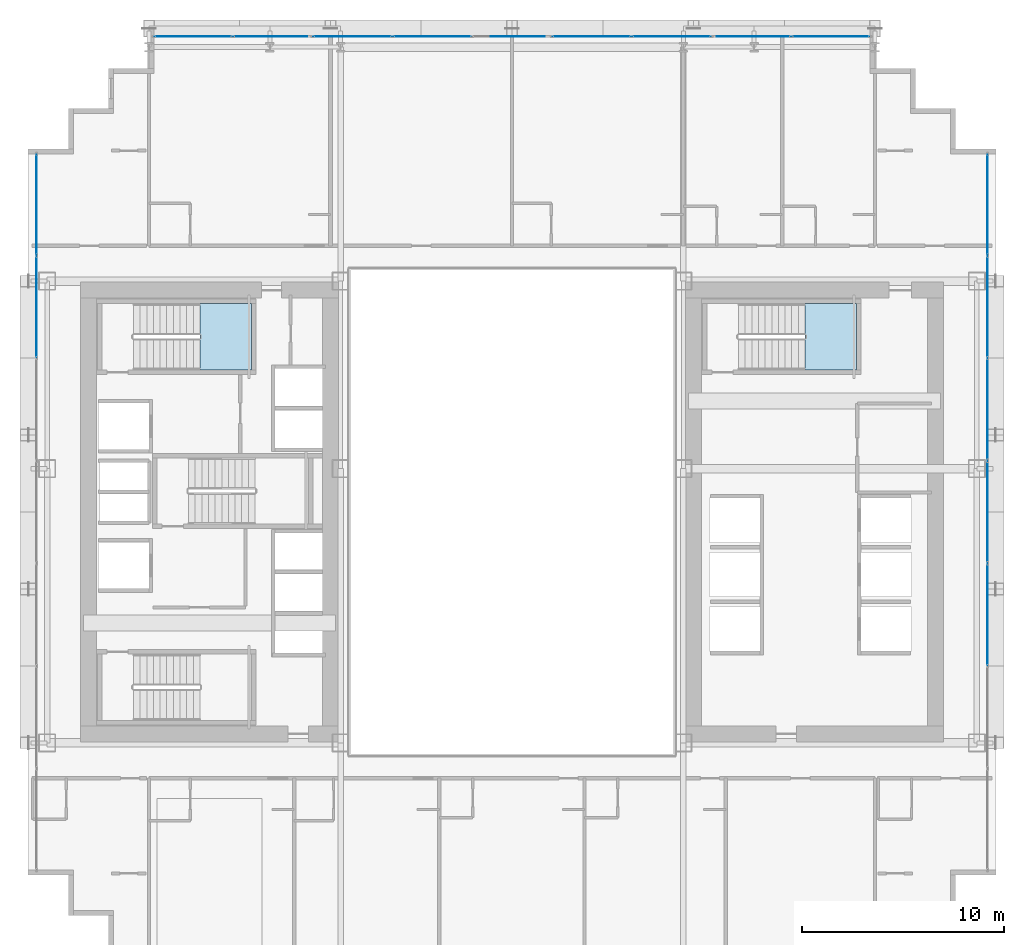
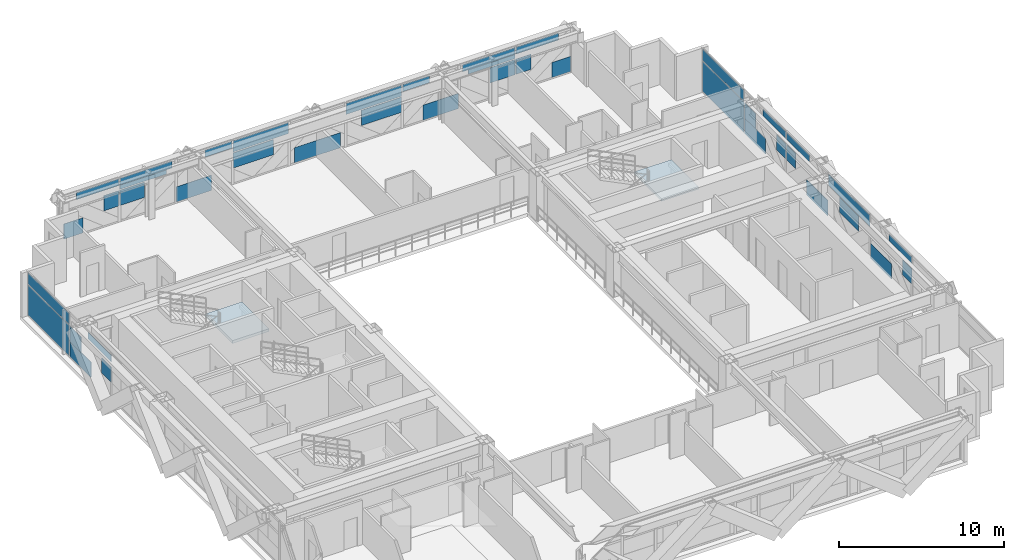
# One storey, part 24 of 35: 41 plates, 2 slabs, 5 elements without a shape of their own.
"""IFC4 building model written with IfcOpenShell, lengths in metres."""

from ifc_helpers import new_model, si_unit, direction, frame, origin, origin_2d, place, context, subcontext, project, spatial, polyline, rectangle, outline, extrude, source, transform, mapped, material, layer, layer_set, type_object, element, aggregate, save


model = new_model("IFC4")

# Units and contexts
model_context = context("Model", 3, precision=1e-05, world=origin(), true_north=direction((0.0, 1.0)))
body_context = subcontext(model_context, "Body", "Model", "MODEL_VIEW")
ifc_project = project(units=[si_unit("LENGTHUNIT", "METRE"), si_unit("AREAUNIT", "SQUARE_METRE"), si_unit("VOLUMEUNIT", "CUBIC_METRE"), si_unit("PLANEANGLEUNIT", "RADIAN"), si_unit("MASSUNIT", "GRAM", prefix="KILO")], contexts=[model_context])

# Site, building, storey
site_placement = place(None, origin())
site = spatial("IfcSite", under=ifc_project, at=site_placement, CompositionType="ELEMENT")
building_placement = place(site_placement, origin())
building = spatial("IfcBuilding", under=site, at=building_placement, Name="Ocotamira Hotel", CompositionType="ELEMENT")
storey_placement = place(building_placement, frame((0.0, 0.0, 81.60009765625)))
storey = spatial("IfcBuildingStorey", under=building, at=storey_placement, Name="L20", CompositionType="ELEMENT", Elevation=81.60009765625)

# Stair, slab
ifc_material_1 = material(Name="Concrete C40/50", Category="concrete")
stair_type = type_object("IfcStairType", Name="ST-CORE-1560", PredefinedType="HALF_TURN_STAIR", material=ifc_material_1)
stair_1_placement = place(storey_placement, origin())
stair_1 = element("IfcStair", 1, at=stair_1_placement, inside=storey, type_object=stair_type, Name="L20 Exit Stair ST-2", PredefinedType="HALF_TURN_STAIR")
ifc_layer_1 = layer(ifc_material_1, 0.199951171875)
ifc_layer_set_1 = layer_set([ifc_layer_1], Name="Concrete C40/50")
slab_type = type_object("IfcSlabType", Name="SLB-LAND-200", PredefinedType="LANDING", material=ifc_layer_set_1)
slab_1_placement = place(storey_placement, frame((0.0, 0.0, 1.599853515625)))
slab_1 = element("IfcSlab", 2, at=slab_1_placement, type_object=slab_type, Name="ST-2 landing 1", PredefinedType="LANDING", context=body_context, shape_type="SweptSolid", body=[
    extrude(outline(polyline([(16.530029296875, 33.050048828125), (19.090087890625, 33.050048828125), (19.090087890625, 36.330078125), (16.530029296875, 36.330078125), (16.530029296875, 33.050048828125)])), origin(), (0.0, 0.0, 1.0), 0.199951171875),
])
aggregate(stair_1, [slab_1])

stair_2_placement = place(storey_placement, origin())
stair_2 = element("IfcStair", 3, at=stair_2_placement, inside=storey, type_object=stair_type, Name="L20 Exit Stair ST-4", PredefinedType="HALF_TURN_STAIR")
slab_2_placement = place(storey_placement, frame((0.0, 0.0, 1.599853515625)))
slab_2 = element("IfcSlab", 4, at=slab_2_placement, type_object=slab_type, Name="ST-4 landing 1", PredefinedType="LANDING", context=body_context, shape_type="SweptSolid", body=[
    extrude(outline(polyline([(46.530029296875, 33.050048828125), (49.090087890625, 33.050048828125), (49.090087890625, 36.330078125), (46.530029296875, 36.330078125), (46.530029296875, 33.050048828125)])), origin(), (0.0, 0.0, 1.0), 0.199951171875),
])
aggregate(stair_2, [slab_2])

# Curtain wall, plate
ifc_material_2 = material(Name="Anodised pale-metal aluminium and solar glass", Category="aluminium")
ifc_layer_2 = layer(ifc_material_2, 0.179931640625)
ifc_layer_set_2 = layer_set([ifc_layer_2], Name="Anodised pale-metal aluminium and solar glass")
curtain_wall_type = type_object("IfcCurtainWallType", Name="CW-SYS2-Z1", PredefinedType="NOTDEFINED", material=ifc_layer_set_2)
curtain_wall_1_placement = place(storey_placement, origin())
curtain_wall_1 = element("IfcCurtainWall", 5, at=curtain_wall_1_placement, inside=storey, type_object=curtain_wall_type, Name="L20 Curtain Wall CW-2 CW-L20-W", PredefinedType="NOTDEFINED")
ifc_material_3 = material(Name="Double-silver low-E insulated solar glass", Category="glass")
ifc_layer_3 = layer(ifc_material_3, 0.031982421875)
ifc_layer_set_3 = layer_set([ifc_layer_3], Name="Double-silver low-E insulated solar glass")
plate_type = type_object("IfcPlateType", Name="CWP-VISION-32", PredefinedType="CURTAIN_PANEL", material=ifc_layer_set_3)
shared_shape_1 = source(origin(), body_context, "Body", "SweptSolid", [
    extrude(rectangle(XDim=4.9658203125, YDim=0.031982421875, at=origin_2d()), origin(), (0.0, 0.0, 1.0), 2.237548828125),
])
plate_1_placement = place(storey_placement, frame((8.419921875, 41.237060546875, 0.07470703125), z_axis=(0.0, 0.0, 1.0), x_axis=(0.0, 1.0, 0.0)))
plate_1 = element("IfcPlate", 6, at=plate_1_placement, type_object=plate_type, Name="CW-2 panel 7.1", PredefinedType="CURTAIN_PANEL", context=body_context, shape_type="MappedRepresentation", body=[
    mapped(shared_shape_1, transform((0.0, 0.0, 0.0), scale=1.0)),
])

curtain_wall_2_placement = place(storey_placement, origin())
curtain_wall_2 = element("IfcCurtainWall", 7, at=curtain_wall_2_placement, inside=storey, type_object=curtain_wall_type, Name="L20 Curtain Wall CW-2 CW-L20-E", PredefinedType="NOTDEFINED")
plate_2_placement = place(storey_placement, frame((55.580078125, 41.237060546875, 0.07470703125), z_axis=(0.0, 0.0, 1.0), x_axis=(0.0, 1.0, 0.0)))
plate_2 = element("IfcPlate", 8, at=plate_2_placement, type_object=plate_type, Name="CW-2 panel 7.1", PredefinedType="CURTAIN_PANEL", context=body_context, shape_type="MappedRepresentation", body=[
    mapped(shared_shape_1, transform((0.0, 0.0, 0.0), scale=1.0)),
])

# Curtain wall, plates
curtain_wall_3_placement = place(storey_placement, origin())
curtain_wall_3 = element("IfcCurtainWall", 9, at=curtain_wall_3_placement, inside=storey, type_object=curtain_wall_type, Name="L20 Curtain Wall CW-2 CW-L20-N", PredefinedType="NOTDEFINED")
shared_shape_2 = source(origin(), body_context, "Body", "SweptSolid", [
    extrude(rectangle(XDim=1.331787109375, YDim=0.031982421875, at=origin_2d()), origin(), (0.0, 0.0, 1.0), 1.118896484375),
])
plate_3_placement = place(storey_placement, frame((14.94580078125, 49.580078125, 0.07470703125), z_axis=(0.0, 0.0, 1.0), x_axis=(1.0, 0.0, 0.0)))
plate_3 = element("IfcPlate", 10, at=plate_3_placement, type_object=plate_type, Name="CW-2 panel 1.1.1", PredefinedType="CURTAIN_PANEL", context=body_context, shape_type="MappedRepresentation", body=[
    mapped(shared_shape_2, transform((0.0, 0.0, 0.0), scale=1.0)),
])
plate_4_placement = place(storey_placement, frame((49.05419921875, 49.580078125, 0.07470703125), z_axis=(0.0, 0.0, 1.0), x_axis=(1.0, 0.0, 0.0)))
plate_4 = element("IfcPlate", 11, at=plate_4_placement, type_object=plate_type, Name="CW-2 panel 9.1.2", PredefinedType="CURTAIN_PANEL", context=body_context, shape_type="MappedRepresentation", body=[
    mapped(shared_shape_2, transform((0.0, 0.0, 0.0), scale=1.0)),
])
shared_shape_3 = source(origin(), body_context, "Body", "SweptSolid", [
    extrude(rectangle(XDim=1.045654296875, YDim=0.031982421875, at=origin_2d()), origin(), (0.0, 0.0, 1.0), 1.11865234375),
])
plate_5_placement = place(storey_placement, frame((17.5927734375, 49.580078125, 1.193603515625), z_axis=(0.0, 0.0, 1.0), x_axis=(1.0, 0.0, 0.0)))
plate_5 = element("IfcPlate", 12, at=plate_5_placement, type_object=plate_type, Name="CW-2 panel 1.1.2", PredefinedType="CURTAIN_PANEL", context=body_context, shape_type="MappedRepresentation", body=[
    mapped(shared_shape_3, transform((0.0, 0.0, 0.0), scale=1.0)),
])
plate_6_placement = place(storey_placement, frame((46.4072265625, 49.580078125, 1.193603515625), z_axis=(0.0, 0.0, 1.0), x_axis=(1.0, 0.0, 0.0)))
plate_6 = element("IfcPlate", 13, at=plate_6_placement, type_object=plate_type, Name="CW-2 panel 9.1.1", PredefinedType="CURTAIN_PANEL", context=body_context, shape_type="MappedRepresentation", body=[
    mapped(shared_shape_3, transform((0.0, 0.0, 0.0), scale=1.0)),
])
shared_shape_4 = source(origin(), body_context, "Body", "SweptSolid", [
    extrude(rectangle(XDim=2.954833984375, YDim=0.031982421875, at=origin_2d()), origin(), (0.0, 0.0, 1.0), 0.513671875),
])
plate_7_placement = place(storey_placement, frame((16.63818359375, 49.580078125, 2.691162109375), z_axis=(0.0, 0.0, 1.0), x_axis=(1.0, 0.0, 0.0)))
plate_7 = element("IfcPlate", 14, at=plate_7_placement, type_object=plate_type, Name="CW-2 panel 1.2.1", PredefinedType="CURTAIN_PANEL", context=body_context, shape_type="MappedRepresentation", body=[
    mapped(shared_shape_4, transform((0.0, 0.0, 0.0), scale=1.0)),
])
plate_8_placement = place(storey_placement, frame((47.36181640625, 49.580078125, 2.691162109375), z_axis=(0.0, 0.0, 1.0), x_axis=(1.0, 0.0, 0.0)))
plate_8 = element("IfcPlate", 15, at=plate_8_placement, type_object=plate_type, Name="CW-2 panel 9.2.1", PredefinedType="CURTAIN_PANEL", context=body_context, shape_type="MappedRepresentation", body=[
    mapped(shared_shape_4, transform((0.0, 0.0, 0.0), scale=1.0)),
])
shared_shape_5 = source(origin(), body_context, "Body", "SweptSolid", [
    extrude(rectangle(XDim=1.734619140625, YDim=0.031982421875, at=origin_2d()), origin(), (0.0, 0.0, 1.0), 1.11865234375),
])
plate_9_placement = place(storey_placement, frame((19.062744140625, 49.580078125, 1.193603515625), z_axis=(0.0, 0.0, 1.0), x_axis=(1.0, 0.0, 0.0)))
plate_9 = element("IfcPlate", 16, at=plate_9_placement, type_object=plate_type, Name="CW-2 panel 2.1.1", PredefinedType="CURTAIN_PANEL", context=body_context, shape_type="MappedRepresentation", body=[
    mapped(shared_shape_5, transform((0.0, 0.0, 0.0), scale=1.0)),
])
plate_10_placement = place(storey_placement, frame((44.937255859375, 49.580078125, 1.193603515625), z_axis=(0.0, 0.0, 1.0), x_axis=(1.0, 0.0, 0.0)))
plate_10 = element("IfcPlate", 17, at=plate_10_placement, type_object=plate_type, Name="CW-2 panel 8.1.1", PredefinedType="CURTAIN_PANEL", context=body_context, shape_type="MappedRepresentation", body=[
    mapped(shared_shape_5, transform((0.0, 0.0, 0.0), scale=1.0)),
])
shared_shape_6 = source(origin(), body_context, "Body", "SweptSolid", [
    extrude(rectangle(XDim=3.25634765625, YDim=0.031982421875, at=origin_2d()), origin(), (0.0, 0.0, 1.0), 0.303955078125),
])
plate_11_placement = place(storey_placement, frame((19.82373046875, 49.580078125, 2.38720703125), z_axis=(0.0, 0.0, 1.0), x_axis=(1.0, 0.0, 0.0)))
plate_11 = element("IfcPlate", 18, at=plate_11_placement, type_object=plate_type, Name="CW-2 panel 2.2.1", PredefinedType="CURTAIN_PANEL", context=body_context, shape_type="MappedRepresentation", body=[
    mapped(shared_shape_6, transform((0.0, 0.0, 0.0), scale=1.0)),
])
plate_12_placement = place(storey_placement, frame((44.17626953125, 49.580078125, 2.38720703125), z_axis=(0.0, 0.0, 1.0), x_axis=(1.0, 0.0, 0.0)))
plate_12 = element("IfcPlate", 19, at=plate_12_placement, type_object=plate_type, Name="CW-2 panel 8.2.2", PredefinedType="CURTAIN_PANEL", context=body_context, shape_type="MappedRepresentation", body=[
    mapped(shared_shape_6, transform((0.0, 0.0, 0.0), scale=1.0)),
])
shared_shape_7 = source(origin(), body_context, "Body", "SweptSolid", [
    extrude(rectangle(XDim=3.643798828125, YDim=0.031982421875, at=origin_2d()), origin(), (0.0, 0.0, 1.0), 0.513671875),
])
plate_13_placement = place(storey_placement, frame((20.017333984375, 49.580078125, 2.691162109375), z_axis=(0.0, 0.0, 1.0), x_axis=(1.0, 0.0, 0.0)))
plate_13 = element("IfcPlate", 20, at=plate_13_placement, type_object=plate_type, Name="CW-2 panel 2.2.2", PredefinedType="CURTAIN_PANEL", context=body_context, shape_type="MappedRepresentation", body=[
    mapped(shared_shape_7, transform((0.0, 0.0, 0.0), scale=1.0)),
])
plate_14_placement = place(storey_placement, frame((43.982666015625, 49.580078125, 2.691162109375), z_axis=(0.0, 0.0, 1.0), x_axis=(1.0, 0.0, 0.0)))
plate_14 = element("IfcPlate", 21, at=plate_14_placement, type_object=plate_type, Name="CW-2 panel 8.2.1", PredefinedType="CURTAIN_PANEL", context=body_context, shape_type="MappedRepresentation", body=[
    mapped(shared_shape_7, transform((0.0, 0.0, 0.0), scale=1.0)),
])
shared_shape_8 = source(origin(), body_context, "Body", "SweptSolid", [
    extrude(rectangle(XDim=2.460693359375, YDim=0.031982421875, at=origin_2d()), origin(), (0.0, 0.0, 1.0), 1.118896484375),
])
plate_15_placement = place(storey_placement, frame((23.38134765625, 49.580078125, 0.07470703125), z_axis=(0.0, 0.0, 1.0), x_axis=(1.0, 0.0, 0.0)))
plate_15 = element("IfcPlate", 22, at=plate_15_placement, type_object=plate_type, Name="CW-2 panel 3.1.1", PredefinedType="CURTAIN_PANEL", context=body_context, shape_type="MappedRepresentation", body=[
    mapped(shared_shape_8, transform((0.0, 0.0, 0.0), scale=1.0)),
])
plate_16_placement = place(storey_placement, frame((40.61865234375, 49.580078125, 0.07470703125), z_axis=(0.0, 0.0, 1.0), x_axis=(1.0, 0.0, 0.0)))
plate_16 = element("IfcPlate", 23, at=plate_16_placement, type_object=plate_type, Name="CW-2 panel 7.1.1", PredefinedType="CURTAIN_PANEL", context=body_context, shape_type="MappedRepresentation", body=[
    mapped(shared_shape_8, transform((0.0, 0.0, 0.0), scale=1.0)),
])
shared_shape_9 = source(origin(), body_context, "Body", "SweptSolid", [
    extrude(rectangle(XDim=1.865966796875, YDim=0.031982421875, at=origin_2d()), origin(), (0.0, 0.0, 1.0), 0.513671875),
])
plate_17_placement = place(storey_placement, frame((25.09375, 49.580078125, 2.691162109375), z_axis=(0.0, 0.0, 1.0), x_axis=(1.0, 0.0, 0.0)))
plate_17 = element("IfcPlate", 24, at=plate_17_placement, type_object=plate_type, Name="CW-2 panel 3.2.1", PredefinedType="CURTAIN_PANEL", context=body_context, shape_type="MappedRepresentation", body=[
    mapped(shared_shape_9, transform((0.0, 0.0, 0.0), scale=1.0)),
])
plate_18_placement = place(storey_placement, frame((38.90625, 49.580078125, 2.691162109375), z_axis=(0.0, 0.0, 1.0), x_axis=(1.0, 0.0, 0.0)))
plate_18 = element("IfcPlate", 25, at=plate_18_placement, type_object=plate_type, Name="CW-2 panel 7.2.1", PredefinedType="CURTAIN_PANEL", context=body_context, shape_type="MappedRepresentation", body=[
    mapped(shared_shape_9, transform((0.0, 0.0, 0.0), scale=1.0)),
])
shared_shape_10 = source(origin(), body_context, "Body", "SweptSolid", [
    extrude(rectangle(XDim=2.823486328125, YDim=0.031982421875, at=origin_2d()), origin(), (0.0, 0.0, 1.0), 1.11865234375),
])
plate_19_placement = place(storey_placement, frame((27.518310546875, 49.580078125, 1.193603515625), z_axis=(0.0, 0.0, 1.0), x_axis=(1.0, 0.0, 0.0)))
plate_19 = element("IfcPlate", 26, at=plate_19_placement, type_object=plate_type, Name="CW-2 panel 4.1.1", PredefinedType="CURTAIN_PANEL", context=body_context, shape_type="MappedRepresentation", body=[
    mapped(shared_shape_10, transform((0.0, 0.0, 0.0), scale=1.0)),
])
plate_20_placement = place(storey_placement, frame((36.481689453125, 49.580078125, 1.193603515625), z_axis=(0.0, 0.0, 1.0), x_axis=(1.0, 0.0, 0.0)))
plate_20 = element("IfcPlate", 27, at=plate_20_placement, type_object=plate_type, Name="CW-2 panel 6.1.1", PredefinedType="CURTAIN_PANEL", context=body_context, shape_type="MappedRepresentation", body=[
    mapped(shared_shape_10, transform((0.0, 0.0, 0.0), scale=1.0)),
])
shared_shape_11 = source(origin(), body_context, "Body", "SweptSolid", [
    extrude(rectangle(XDim=3.87548828125, YDim=0.031982421875, at=origin_2d()), origin(), (0.0, 0.0, 1.0), 0.8173828125),
])
plate_21_placement = place(storey_placement, frame((28.04443359375, 49.580078125, 2.387451171875), z_axis=(0.0, 0.0, 1.0), x_axis=(1.0, 0.0, 0.0)))
plate_21 = element("IfcPlate", 28, at=plate_21_placement, type_object=plate_type, Name="CW-2 panel 4.2", PredefinedType="CURTAIN_PANEL", context=body_context, shape_type="MappedRepresentation", body=[
    mapped(shared_shape_11, transform((0.0, 0.0, 0.0), scale=1.0)),
])
plate_22_placement = place(storey_placement, frame((35.95556640625, 49.580078125, 2.387451171875), z_axis=(0.0, 0.0, 1.0), x_axis=(1.0, 0.0, 0.0)))
plate_22 = element("IfcPlate", 29, at=plate_22_placement, type_object=plate_type, Name="CW-2 panel 6.2", PredefinedType="CURTAIN_PANEL", context=body_context, shape_type="MappedRepresentation", body=[
    mapped(shared_shape_11, transform((0.0, 0.0, 0.0), scale=1.0)),
])
shared_shape_12 = source(origin(), body_context, "Body", "SweptSolid", [
    extrude(rectangle(XDim=3.223388671875, YDim=0.031982421875, at=origin_2d()), origin(), (0.0, 0.0, 1.0), 1.118896484375),
])
plate_23_placement = place(storey_placement, frame((32.0, 49.580078125, 0.07470703125), z_axis=(0.0, 0.0, 1.0), x_axis=(1.0, 0.0, 0.0)))
plate_23 = element("IfcPlate", 30, at=plate_23_placement, type_object=plate_type, Name="CW-2 panel 5.1.1", PredefinedType="CURTAIN_PANEL", context=body_context, shape_type="MappedRepresentation", body=[
    mapped(shared_shape_12, transform((0.0, 0.0, 0.0), scale=1.0)),
])
aggregate(curtain_wall_3, [plate_3, plate_5, plate_7, plate_9, plate_11, plate_13, plate_15, plate_17, plate_19, plate_21, plate_23, plate_20, plate_22, plate_16, plate_18, plate_10, plate_14, plate_12, plate_6, plate_4, plate_8])

# Plate
shared_shape_13 = source(origin(), body_context, "Body", "SweptSolid", [
    extrude(rectangle(XDim=4.9658203125, YDim=0.031982421875, at=origin_2d()), origin(), (0.0, 0.0, 1.0), 0.8173828125),
])
plate_24_placement = place(storey_placement, frame((8.419921875, 41.237060546875, 2.387451171875), z_axis=(0.0, 0.0, 1.0), x_axis=(0.0, 1.0, 0.0)))
plate_24 = element("IfcPlate", 31, at=plate_24_placement, type_object=plate_type, Name="CW-2 panel 7.2", PredefinedType="CURTAIN_PANEL", context=body_context, shape_type="MappedRepresentation", body=[
    mapped(shared_shape_13, transform((0.0, 0.0, 0.0), scale=1.0)),
])

plate_25_placement = place(storey_placement, frame((55.580078125, 41.237060546875, 2.387451171875), z_axis=(0.0, 0.0, 1.0), x_axis=(0.0, 1.0, 0.0)))
plate_25 = element("IfcPlate", 32, at=plate_25_placement, type_object=plate_type, Name="CW-2 panel 7.2", PredefinedType="CURTAIN_PANEL", context=body_context, shape_type="MappedRepresentation", body=[
    mapped(shared_shape_13, transform((0.0, 0.0, 0.0), scale=1.0)),
])

shared_shape_14 = source(origin(), body_context, "Body", "SweptSolid", [
    extrude(rectangle(XDim=2.546875, YDim=0.031982421875, at=origin_2d()), origin(), (0.0, 0.0, 1.0), 1.118896484375),
])
plate_26_placement = place(storey_placement, frame((8.419921875, 37.40087890625, 0.07470703125), z_axis=(0.0, 0.0, 1.0), x_axis=(0.0, 1.0, 0.0)))
plate_26 = element("IfcPlate", 33, at=plate_26_placement, type_object=plate_type, Name="CW-2 panel 6.1.2", PredefinedType="CURTAIN_PANEL", context=body_context, shape_type="MappedRepresentation", body=[
    mapped(shared_shape_14, transform((0.0, 0.0, 0.0), scale=1.0)),
])

plate_27_placement = place(storey_placement, frame((55.580078125, 37.40087890625, 0.07470703125), z_axis=(0.0, 0.0, 1.0), x_axis=(0.0, 1.0, 0.0)))
plate_27 = element("IfcPlate", 34, at=plate_27_placement, type_object=plate_type, Name="CW-2 panel 6.1.2", PredefinedType="CURTAIN_PANEL", context=body_context, shape_type="MappedRepresentation", body=[
    mapped(shared_shape_14, transform((0.0, 0.0, 0.0), scale=1.0)),
])

shared_shape_15 = source(origin(), body_context, "Body", "SweptSolid", [
    extrude(rectangle(XDim=1.33740234375, YDim=0.031982421875, at=origin_2d()), origin(), (0.0, 0.0, 1.0), 1.11865234375),
])
plate_28_placement = place(storey_placement, frame((8.419921875, 38.005615234375, 1.193603515625), z_axis=(0.0, 0.0, 1.0), x_axis=(0.0, 1.0, 0.0)))
plate_28 = element("IfcPlate", 35, at=plate_28_placement, type_object=plate_type, Name="CW-2 panel 6.1.3", PredefinedType="CURTAIN_PANEL", context=body_context, shape_type="MappedRepresentation", body=[
    mapped(shared_shape_15, transform((0.0, 0.0, 0.0), scale=1.0)),
])

plate_29_placement = place(storey_placement, frame((55.580078125, 38.005615234375, 1.193603515625), z_axis=(0.0, 0.0, 1.0), x_axis=(0.0, 1.0, 0.0)))
plate_29 = element("IfcPlate", 36, at=plate_29_placement, type_object=plate_type, Name="CW-2 panel 6.1.3", PredefinedType="CURTAIN_PANEL", context=body_context, shape_type="MappedRepresentation", body=[
    mapped(shared_shape_15, transform((0.0, 0.0, 0.0), scale=1.0)),
])

shared_shape_16 = source(origin(), body_context, "Body", "SweptSolid", [
    extrude(rectangle(XDim=1.13330078125, YDim=0.031982421875, at=origin_2d()), origin(), (0.0, 0.0, 1.0), 1.11865234375),
])
plate_30_placement = place(storey_placement, frame((8.419921875, 34.2353515625, 1.193603515625), z_axis=(0.0, 0.0, 1.0), x_axis=(0.0, 1.0, 0.0)))
plate_30 = element("IfcPlate", 37, at=plate_30_placement, type_object=plate_type, Name="CW-2 panel 6.1.1", PredefinedType="CURTAIN_PANEL", context=body_context, shape_type="MappedRepresentation", body=[
    mapped(shared_shape_16, transform((0.0, 0.0, 0.0), scale=1.0)),
])

plate_31_placement = place(storey_placement, frame((55.580078125, 34.2353515625, 1.193603515625), z_axis=(0.0, 0.0, 1.0), x_axis=(0.0, 1.0, 0.0)))
plate_31 = element("IfcPlate", 38, at=plate_31_placement, type_object=plate_type, Name="CW-2 panel 6.1.1", PredefinedType="CURTAIN_PANEL", context=body_context, shape_type="MappedRepresentation", body=[
    mapped(shared_shape_16, transform((0.0, 0.0, 0.0), scale=1.0)),
])

shared_shape_17 = source(origin(), body_context, "Body", "SweptSolid", [
    extrude(rectangle(XDim=2.77978515625, YDim=0.031982421875, at=origin_2d()), origin(), (0.0, 0.0, 1.0), 0.48828125),
])
plate_32_placement = place(storey_placement, frame((8.419921875, 35.05859375, 2.716552734375), z_axis=(0.0, 0.0, 1.0), x_axis=(0.0, 1.0, 0.0)))
plate_32 = element("IfcPlate", 39, at=plate_32_placement, type_object=plate_type, Name="CW-2 panel 6.2.1", PredefinedType="CURTAIN_PANEL", context=body_context, shape_type="MappedRepresentation", body=[
    mapped(shared_shape_17, transform((0.0, 0.0, 0.0), scale=1.0)),
])

aggregate(curtain_wall_1, [plate_30, plate_26, plate_28, plate_32, plate_1, plate_24])

plate_33_placement = place(storey_placement, frame((55.580078125, 35.05859375, 2.716552734375), z_axis=(0.0, 0.0, 1.0), x_axis=(0.0, 1.0, 0.0)))
plate_33 = element("IfcPlate", 40, at=plate_33_placement, type_object=plate_type, Name="CW-2 panel 6.2.1", PredefinedType="CURTAIN_PANEL", context=body_context, shape_type="MappedRepresentation", body=[
    mapped(shared_shape_17, transform((0.0, 0.0, 0.0), scale=1.0)),
])

shared_shape_18 = source(origin(), body_context, "Body", "SweptSolid", [
    extrude(rectangle(XDim=1.123779296875, YDim=0.031982421875, at=origin_2d()), origin(), (0.0, 0.0, 1.0), 1.11865234375),
])
plate_34_placement = place(storey_placement, frame((55.580078125, 18.973388671875, 1.193603515625), z_axis=(0.0, 0.0, 1.0), x_axis=(0.0, 1.0, 0.0)))
plate_34 = element("IfcPlate", 41, at=plate_34_placement, type_object=plate_type, Name="CW-2 panel 3.1.1", PredefinedType="CURTAIN_PANEL", context=body_context, shape_type="MappedRepresentation", body=[
    mapped(shared_shape_18, transform((0.0, 0.0, 0.0), scale=1.0)),
])

plate_35_placement = place(storey_placement, frame((55.580078125, 33.026611328125, 1.193603515625), z_axis=(0.0, 0.0, 1.0), x_axis=(0.0, 1.0, 0.0)))
plate_35 = element("IfcPlate", 42, at=plate_35_placement, type_object=plate_type, Name="CW-2 panel 5.1.2", PredefinedType="CURTAIN_PANEL", context=body_context, shape_type="MappedRepresentation", body=[
    mapped(shared_shape_18, transform((0.0, 0.0, 0.0), scale=1.0)),
])

shared_shape_19 = source(origin(), body_context, "Body", "SweptSolid", [
    extrude(rectangle(XDim=2.556396484375, YDim=0.031982421875, at=origin_2d()), origin(), (0.0, 0.0, 1.0), 1.118896484375),
])
plate_36_placement = place(storey_placement, frame((55.580078125, 22.138916015625, 0.07470703125), z_axis=(0.0, 0.0, 1.0), x_axis=(0.0, 1.0, 0.0)))
plate_36 = element("IfcPlate", 43, at=plate_36_placement, type_object=plate_type, Name="CW-2 panel 3.1.2", PredefinedType="CURTAIN_PANEL", context=body_context, shape_type="MappedRepresentation", body=[
    mapped(shared_shape_19, transform((0.0, 0.0, 0.0), scale=1.0)),
])

plate_37_placement = place(storey_placement, frame((55.580078125, 29.861083984375, 0.07470703125), z_axis=(0.0, 0.0, 1.0), x_axis=(0.0, 1.0, 0.0)))
plate_37 = element("IfcPlate", 44, at=plate_37_placement, type_object=plate_type, Name="CW-2 panel 5.1.1", PredefinedType="CURTAIN_PANEL", context=body_context, shape_type="MappedRepresentation", body=[
    mapped(shared_shape_19, transform((0.0, 0.0, 0.0), scale=1.0)),
])

shared_shape_20 = source(origin(), body_context, "Body", "SweptSolid", [
    extrude(rectangle(XDim=2.770263671875, YDim=0.031982421875, at=origin_2d()), origin(), (0.0, 0.0, 1.0), 0.48828125),
])
plate_38_placement = place(storey_placement, frame((55.580078125, 19.796630859375, 2.716552734375), z_axis=(0.0, 0.0, 1.0), x_axis=(0.0, 1.0, 0.0)))
plate_38 = element("IfcPlate", 45, at=plate_38_placement, type_object=plate_type, Name="CW-2 panel 3.2.1", PredefinedType="CURTAIN_PANEL", context=body_context, shape_type="MappedRepresentation", body=[
    mapped(shared_shape_20, transform((0.0, 0.0, 0.0), scale=1.0)),
])

plate_39_placement = place(storey_placement, frame((55.580078125, 32.203369140625, 2.716552734375), z_axis=(0.0, 0.0, 1.0), x_axis=(0.0, 1.0, 0.0)))
plate_39 = element("IfcPlate", 46, at=plate_39_placement, type_object=plate_type, Name="CW-2 panel 5.2.1", PredefinedType="CURTAIN_PANEL", context=body_context, shape_type="MappedRepresentation", body=[
    mapped(shared_shape_20, transform((0.0, 0.0, 0.0), scale=1.0)),
])

shared_shape_21 = source(origin(), body_context, "Body", "SweptSolid", [
    extrude(rectangle(XDim=2.337158203125, YDim=0.031982421875, at=origin_2d()), origin(), (0.0, 0.0, 1.0), 1.11865234375),
])
plate_40_placement = place(storey_placement, frame((55.580078125, 26.0, 1.193603515625), z_axis=(0.0, 0.0, 1.0), x_axis=(0.0, 1.0, 0.0)))
plate_40 = element("IfcPlate", 47, at=plate_40_placement, type_object=plate_type, Name="CW-2 panel 4.1.1", PredefinedType="CURTAIN_PANEL", context=body_context, shape_type="MappedRepresentation", body=[
    mapped(shared_shape_21, transform((0.0, 0.0, 0.0), scale=1.0)),
])

shared_shape_22 = source(origin(), body_context, "Body", "SweptSolid", [
    extrude(rectangle(XDim=5.005615234375, YDim=0.031982421875, at=origin_2d()), origin(), (0.0, 0.0, 1.0), 0.8173828125),
])
plate_41_placement = place(storey_placement, frame((55.580078125, 26.0, 2.387451171875), z_axis=(0.0, 0.0, 1.0), x_axis=(0.0, 1.0, 0.0)))
plate_41 = element("IfcPlate", 48, at=plate_41_placement, type_object=plate_type, Name="CW-2 panel 4.2", PredefinedType="CURTAIN_PANEL", context=body_context, shape_type="MappedRepresentation", body=[
    mapped(shared_shape_22, transform((0.0, 0.0, 0.0), scale=1.0)),
])

aggregate(curtain_wall_2, [plate_34, plate_36, plate_38, plate_40, plate_41, plate_37, plate_35, plate_39, plate_31, plate_27, plate_29, plate_33, plate_2, plate_25])

save(model, "model.ifc")
